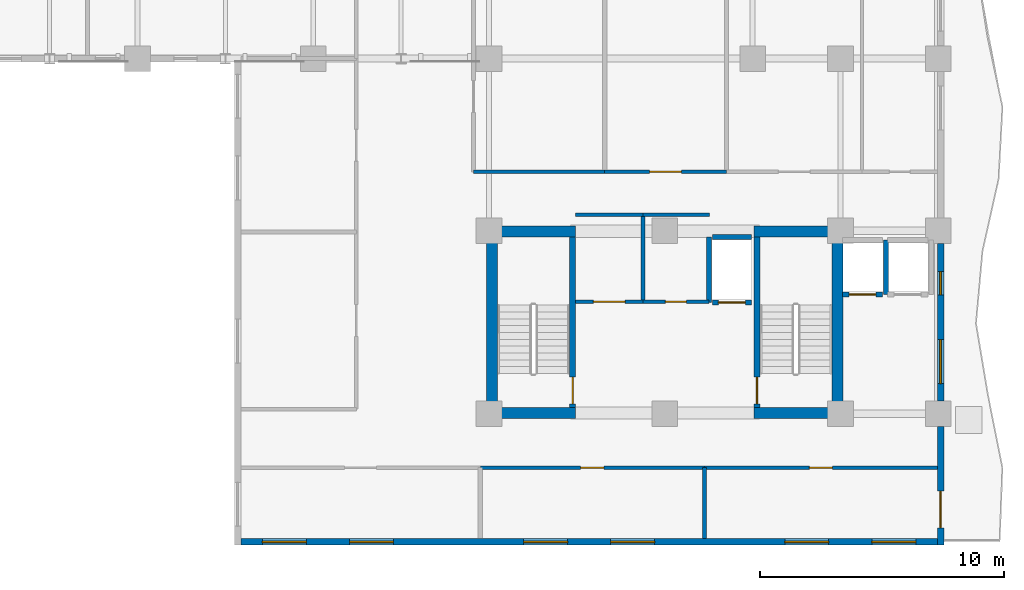
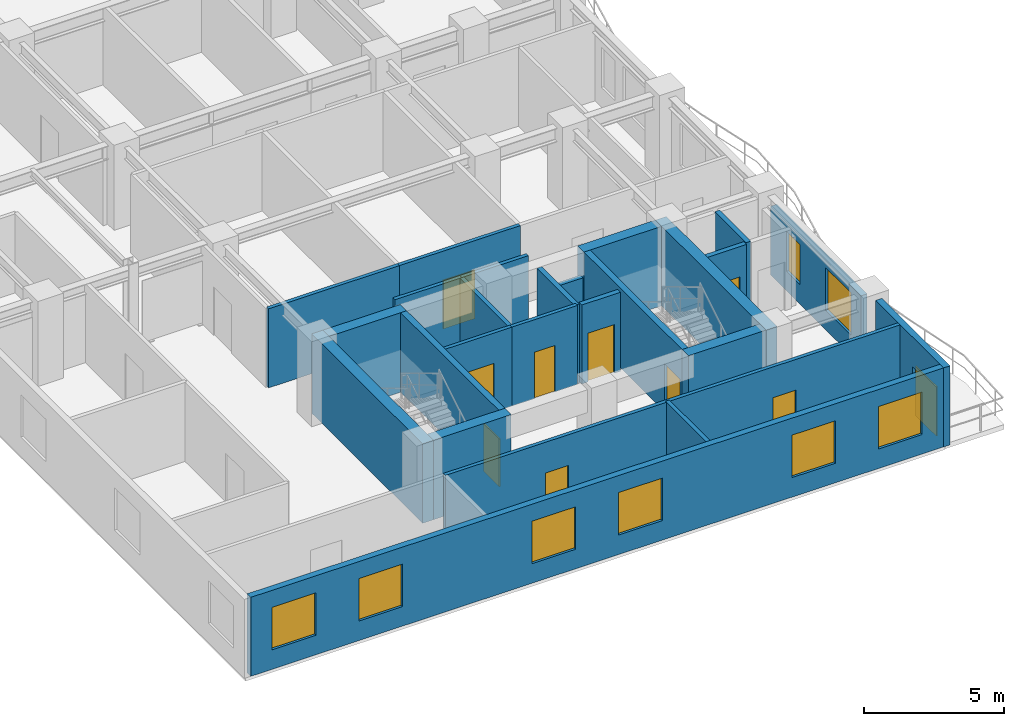
# One storey, part 6 of 13: 26 walls, 10 doors, 8 windows, 18 openings.
"""IFC4 building model written with IfcOpenShell, lengths in metres."""

from ifc_helpers import new_model, si_unit, direction, frame, frame_2d, origin, place, context, subcontext, project, spatial, rectangle, extrude, material, layer, layer_set, type_object, element, fill, save


model = new_model("IFC4")

# Units and contexts
model_context = context("Model", 3, precision=1e-05, world=origin(), true_north=direction((0.0, 1.0)))
body_context = subcontext(model_context, "Body", "Model", "MODEL_VIEW")
ifc_project = project(units=[si_unit("LENGTHUNIT", "METRE"), si_unit("AREAUNIT", "SQUARE_METRE"), si_unit("VOLUMEUNIT", "CUBIC_METRE"), si_unit("PLANEANGLEUNIT", "RADIAN"), si_unit("MASSUNIT", "GRAM", prefix="KILO")], contexts=[model_context])

# Site, building, storey
site_placement = place(None, origin())
site = spatial("IfcSite", under=ifc_project, at=site_placement, CompositionType="ELEMENT")
building_placement = place(site_placement, origin())
building = spatial("IfcBuilding", under=site, at=building_placement, Name="Kaliganga Portal Commons", CompositionType="ELEMENT")
storey_placement = place(building_placement, frame((0.0, 0.0, 158.699951171875)))
storey = spatial("IfcBuildingStorey", under=building, at=storey_placement, Name="L40", CompositionType="ELEMENT", Elevation=158.699951171875)

# Walls
ifc_material_1 = material(Name="Concrete C60/75", Category="concrete")
ifc_layer_1 = layer(ifc_material_1, 0.449951171875)
ifc_layer_set_1 = layer_set([ifc_layer_1], Name="Concrete C60/75")
wall_type_1 = type_object("IfcWallType", Name="WL-CORE-450", PredefinedType="SHEAR", material=ifc_layer_set_1)
for number, where, z_axis, x_axis, name in (
    (1, (36.125, 6.85009765625, 0.0), (0.0, 0.0, 1.0), (0.0, 1.0, 0.0), "Core B West Shear Wall L40"),
    (2, (50.27490234375, 6.85009765625, 0.0), (0.0, 0.0, 1.0), (0.0, 1.0, 0.0), "Core B East Shear Wall L40"),
):
    element("IfcWall", number, at=place(storey_placement, frame(where, z_axis=z_axis, x_axis=x_axis)), inside=storey, type_object=wall_type_1, Name=name, PredefinedType="SHEAR", context=body_context, shape_type="SweptSolid", body=[
        extrude(rectangle(XDim=7.89990234375, YDim=0.449951171875, at=frame_2d((3.949951171875, 0.0))), origin(), (0.0, 0.0, 1.0), 3.4599609375),
    ])
for number, where, z_axis, x_axis, name in (
    (3, (36.35009765625, 7.074951171875, 0.0), (0.0, 0.0, 1.0), (1.0, 0.0, 0.0), "Core B S-West Shear Wall L40"),
    (4, (46.85009765625, 7.074951171875, 0.0), (0.0, 0.0, 1.0), (1.0, 0.0, 0.0), "Core B S-East Shear Wall L40"),
    (5, (36.35009765625, 14.52490234375, 0.0), (0.0, 0.0, 1.0), (1.0, 0.0, 0.0), "Core B N-West Shear Wall L40"),
    (6, (46.85009765625, 14.52490234375, 0.0), (0.0, 0.0, 1.0), (1.0, 0.0, 0.0), "Core B N-East Shear Wall L40"),
):
    element("IfcWall", number, at=place(storey_placement, frame(where, z_axis=z_axis, x_axis=x_axis)), inside=storey, type_object=wall_type_1, Name=name, PredefinedType="SHEAR", context=body_context, shape_type="SweptSolid", body=[
        extrude(rectangle(XDim=3.199951171875, YDim=0.449951171875, at=frame_2d((1.60009765625, 0.0))), origin(), (0.0, 0.0, 1.0), 3.4599609375),
    ])

# Wall, openings, windows
ifc_material_2 = material(Name="Insulated Aluminium-Clad Spandrel Assembly", Category="aluminium")
ifc_layer_2 = layer(ifc_material_2, 0.260009765625)
ifc_layer_set_2 = layer_set([ifc_layer_2], Name="Insulated Aluminium-Clad Spandrel Assembly")
wall_type_2 = type_object("IfcWallType", Name="WL-EXT-SPAND-260", PredefinedType="STANDARD", material=ifc_layer_set_2)
wall_1_placement = place(storey_placement, frame((54.364990234375, 1.800048828125, 0.0), z_axis=(0.0, 0.0, 1.0), x_axis=(-1.0, 0.0, 0.0)))
wall_1 = element("IfcWall", 7, at=wall_1_placement, inside=storey, type_object=wall_type_2, Name="Exterior Envelope Wall L40 P1-E00-S1", PredefinedType="STANDARD", context=body_context, shape_type="SweptSolid", body=[
    extrude(rectangle(XDim=28.530029296875, YDim=0.260009765625, at=frame_2d((14.26513671875, 0.0))), origin(), (0.0, 0.0, 1.0), 3.43994140625),
])
opening_1_placement = place(wall_1_placement, frame((0.883056640625, 0.0, 0.85009765625)))
opening_1 = element("IfcOpeningElement", 8, at=opening_1_placement, cuts=wall_1, Name="Opening W-01", PredefinedType="OPENING", context=body_context, shape_type="SweptSolid", body=[
    extrude(rectangle(XDim=1.800048828125, YDim=1.85009765625, at=frame_2d((0.89990234375, 0.925048828125))), frame((0.0, 0.14013671875, 0.0), z_axis=(0.0, -1.0, 0.0), x_axis=(1.0, 0.0, 0.0)), (0.0, 0.0, 1.0), 0.280029296875),
])
opening_2_placement = place(wall_1_placement, frame((4.449462890625, 0.0, 0.85009765625)))
opening_2 = element("IfcOpeningElement", 9, at=opening_2_placement, cuts=wall_1, Name="Opening W-01", PredefinedType="OPENING", context=body_context, shape_type="SweptSolid", body=[
    extrude(rectangle(XDim=1.800048828125, YDim=1.85009765625, at=frame_2d((0.89990234375, 0.925048828125))), frame((0.0, 0.14013671875, 0.0), z_axis=(0.0, -1.0, 0.0), x_axis=(1.0, 0.0, 0.0)), (0.0, 0.0, 1.0), 0.280029296875),
])
opening_3_placement = place(wall_1_placement, frame((11.581787109375, 0.0, 0.85009765625)))
opening_3 = element("IfcOpeningElement", 10, at=opening_3_placement, cuts=wall_1, Name="Opening W-01", PredefinedType="OPENING", context=body_context, shape_type="SweptSolid", body=[
    extrude(rectangle(XDim=1.800048828125, YDim=1.85009765625, at=frame_2d((0.89990234375, 0.925048828125))), frame((0.0, 0.14013671875, 0.0), z_axis=(0.0, -1.0, 0.0), x_axis=(1.0, 0.0, 0.0)), (0.0, 0.0, 1.0), 0.280029296875),
])
opening_4_placement = place(wall_1_placement, frame((15.148193359375, 0.0, 0.85009765625)))
opening_4 = element("IfcOpeningElement", 11, at=opening_4_placement, cuts=wall_1, Name="Opening W-01", PredefinedType="OPENING", context=body_context, shape_type="SweptSolid", body=[
    extrude(rectangle(XDim=1.800048828125, YDim=1.85009765625, at=frame_2d((0.89990234375, 0.925048828125))), frame((0.0, 0.14013671875, 0.0), z_axis=(0.0, -1.0, 0.0), x_axis=(1.0, 0.0, 0.0)), (0.0, 0.0, 1.0), 0.280029296875),
])
opening_5_placement = place(wall_1_placement, frame((22.280517578125, 0.0, 0.85009765625)))
opening_5 = element("IfcOpeningElement", 12, at=opening_5_placement, cuts=wall_1, Name="Opening W-01", PredefinedType="OPENING", context=body_context, shape_type="SweptSolid", body=[
    extrude(rectangle(XDim=1.800048828125, YDim=1.85009765625, at=frame_2d((0.89990234375, 0.925048828125))), frame((0.0, 0.14013671875, 0.0), z_axis=(0.0, -1.0, 0.0), x_axis=(1.0, 0.0, 0.0)), (0.0, 0.0, 1.0), 0.280029296875),
])
opening_6_placement = place(wall_1_placement, frame((25.846923828125, 0.0, 0.85009765625)))
opening_6 = element("IfcOpeningElement", 13, at=opening_6_placement, cuts=wall_1, Name="Opening W-01", PredefinedType="OPENING", context=body_context, shape_type="SweptSolid", body=[
    extrude(rectangle(XDim=1.800048828125, YDim=1.85009765625, at=frame_2d((0.89990234375, 0.925048828125))), frame((0.0, 0.14013671875, 0.0), z_axis=(0.0, -1.0, 0.0), x_axis=(1.0, 0.0, 0.0)), (0.0, 0.0, 1.0), 0.280029296875),
])
ifc_material_3 = material(Name="Thermally Broken Aluminium and Low-E Double Glazing", Category="aluminium")
window_type_1 = type_object("IfcWindowType", Name="WIN-STD-1800", PartitioningType="DOUBLE_PANEL_VERTICAL", PredefinedType="WINDOW", material=ifc_material_3)
window_1_placement = place(opening_1_placement, origin())
window_1 = element("IfcWindow", 14, at=window_1_placement, inside=storey, type_object=window_type_1, Name="Facade Window L40-P1E00S1-00", OverallHeight=1.85009765625, OverallWidth=1.800048828125, PartitioningType="SINGLE_PANEL", PredefinedType="WINDOW", context=body_context, shape_type="SweptSolid", body=[
    extrude(rectangle(XDim=1.800048828125, YDim=1.85009765625, at=frame_2d((0.89990234375, 0.925048828125))), frame((0.0, 0.030029296875, 0.0), z_axis=(0.0, -1.0, 0.0), x_axis=(1.0, 0.0, 0.0)), (0.0, 0.0, 1.0), 0.06005859375),
])
fill(opening_1, window_1)
window_2_placement = place(opening_2_placement, origin())
window_2 = element("IfcWindow", 15, at=window_2_placement, inside=storey, type_object=window_type_1, Name="Facade Window L40-P1E00S1-01", OverallHeight=1.85009765625, OverallWidth=1.800048828125, PartitioningType="SINGLE_PANEL", PredefinedType="WINDOW", context=body_context, shape_type="SweptSolid", body=[
    extrude(rectangle(XDim=1.800048828125, YDim=1.85009765625, at=frame_2d((0.89990234375, 0.925048828125))), frame((0.0, 0.030029296875, 0.0), z_axis=(0.0, -1.0, 0.0), x_axis=(1.0, 0.0, 0.0)), (0.0, 0.0, 1.0), 0.06005859375),
])
fill(opening_2, window_2)
window_3_placement = place(opening_3_placement, origin())
window_3 = element("IfcWindow", 16, at=window_3_placement, inside=storey, type_object=window_type_1, Name="Facade Window L40-P1E00S1-03", OverallHeight=1.85009765625, OverallWidth=1.800048828125, PartitioningType="SINGLE_PANEL", PredefinedType="WINDOW", context=body_context, shape_type="SweptSolid", body=[
    extrude(rectangle(XDim=1.800048828125, YDim=1.85009765625, at=frame_2d((0.89990234375, 0.925048828125))), frame((0.0, 0.030029296875, 0.0), z_axis=(0.0, -1.0, 0.0), x_axis=(1.0, 0.0, 0.0)), (0.0, 0.0, 1.0), 0.06005859375),
])
fill(opening_3, window_3)
window_4_placement = place(opening_4_placement, origin())
window_4 = element("IfcWindow", 17, at=window_4_placement, inside=storey, type_object=window_type_1, Name="Facade Window L40-P1E00S1-04", OverallHeight=1.85009765625, OverallWidth=1.800048828125, PartitioningType="SINGLE_PANEL", PredefinedType="WINDOW", context=body_context, shape_type="SweptSolid", body=[
    extrude(rectangle(XDim=1.800048828125, YDim=1.85009765625, at=frame_2d((0.89990234375, 0.925048828125))), frame((0.0, 0.030029296875, 0.0), z_axis=(0.0, -1.0, 0.0), x_axis=(1.0, 0.0, 0.0)), (0.0, 0.0, 1.0), 0.06005859375),
])
fill(opening_4, window_4)
window_5_placement = place(opening_5_placement, origin())
window_5 = element("IfcWindow", 18, at=window_5_placement, inside=storey, type_object=window_type_1, Name="Facade Window L40-P1E00S1-06", OverallHeight=1.85009765625, OverallWidth=1.800048828125, PartitioningType="SINGLE_PANEL", PredefinedType="WINDOW", context=body_context, shape_type="SweptSolid", body=[
    extrude(rectangle(XDim=1.800048828125, YDim=1.85009765625, at=frame_2d((0.89990234375, 0.925048828125))), frame((0.0, 0.030029296875, 0.0), z_axis=(0.0, -1.0, 0.0), x_axis=(1.0, 0.0, 0.0)), (0.0, 0.0, 1.0), 0.06005859375),
])
fill(opening_5, window_5)
window_6_placement = place(opening_6_placement, origin())
window_6 = element("IfcWindow", 19, at=window_6_placement, inside=storey, type_object=window_type_1, Name="Facade Window L40-P1E00S1-07", OverallHeight=1.85009765625, OverallWidth=1.800048828125, PartitioningType="SINGLE_PANEL", PredefinedType="WINDOW", context=body_context, shape_type="SweptSolid", body=[
    extrude(rectangle(XDim=1.800048828125, YDim=1.85009765625, at=frame_2d((0.89990234375, 0.925048828125))), frame((0.0, 0.030029296875, 0.0), z_axis=(0.0, -1.0, 0.0), x_axis=(1.0, 0.0, 0.0)), (0.0, 0.0, 1.0), 0.06005859375),
])
fill(opening_6, window_6)

# Wall, opening, door
wall_2_placement = place(storey_placement, frame((54.5, 6.52392578125, 0.0), z_axis=(0.0, 0.0, 1.0), x_axis=(0.0, -1.0, 0.0)))
wall_2 = element("IfcWall", 20, at=wall_2_placement, inside=storey, type_object=wall_type_2, Name="Exterior Envelope Wall L40 P1-E01-S1", PredefinedType="STANDARD", context=body_context, shape_type="SweptSolid", body=[
    extrude(rectangle(XDim=4.85400390625, YDim=0.260009765625, at=frame_2d((2.427001953125, 0.0))), origin(), (0.0, 0.0, 1.0), 3.43994140625),
])
opening_7_placement = place(wall_2_placement, frame((2.64794921875, 0.0, 0.0)))
opening_7 = element("IfcOpeningElement", 21, at=opening_7_placement, cuts=wall_2, Name="Opening BD-01", PredefinedType="OPENING", context=body_context, shape_type="SweptSolid", body=[
    extrude(rectangle(XDim=1.5, YDim=2.14990234375, at=frame_2d((0.75, 1.074951171875))), frame((0.0, 0.14013671875, 0.0), z_axis=(0.0, -1.0, 0.0), x_axis=(1.0, 0.0, 0.0)), (0.0, 0.0, 1.0), 0.280029296875),
])
ifc_material_4 = material(Name="Anodized Aluminium and Laminated Safety Glass", Category="aluminium")
door_type_1 = type_object("IfcDoorType", Name="DR-BALC-1500", OperationType="SLIDING_TO_LEFT", PredefinedType="DOOR", material=ifc_material_4)
door_1_placement = place(opening_7_placement, origin())
door_1 = element("IfcDoor", 22, at=door_1_placement, inside=storey, type_object=door_type_1, Name="Balcony Sliding Door L40 balc_east", OperationType="SLIDING_TO_LEFT", OverallHeight=2.14990234375, OverallWidth=1.5, PredefinedType="DOOR", context=body_context, shape_type="SweptSolid", body=[
    extrude(rectangle(XDim=1.5, YDim=2.14990234375, at=frame_2d((0.75, 1.074951171875))), frame((0.0, 0.02490234375, 0.0), z_axis=(0.0, -1.0, 0.0), x_axis=(1.0, 0.0, 0.0)), (0.0, 0.0, 1.0), 0.050048828125),
])
fill(opening_7, door_1)

# Wall, openings, windows
wall_3_placement = place(storey_placement, frame((54.5, 14.02392578125, 0.0), z_axis=(0.0, 0.0, 1.0), x_axis=(0.0, -1.0, 0.0)))
wall_3 = element("IfcWall", 23, at=wall_3_placement, inside=storey, type_object=wall_type_2, Name="Exterior Envelope Wall L40 P1-E01-S2", PredefinedType="STANDARD", context=body_context, shape_type="SweptSolid", body=[
    extrude(rectangle(XDim=6.447998046875, YDim=0.260009765625, at=frame_2d((3.22412109375, 0.0))), origin(), (0.0, 0.0, 1.0), 2.989990234375),
])
opening_8_placement = place(wall_3_placement, frame((3.93603515625, 0.0, 0.85009765625)))
opening_8 = element("IfcOpeningElement", 24, at=opening_8_placement, cuts=wall_3, Name="Opening W-01", PredefinedType="OPENING", context=body_context, shape_type="SweptSolid", body=[
    extrude(rectangle(XDim=1.800048828125, YDim=1.85009765625, at=frame_2d((0.89990234375, 0.925048828125))), frame((0.0, 0.14013671875, 0.0), z_axis=(0.0, -1.0, 0.0), x_axis=(1.0, 0.0, 0.0)), (0.0, 0.0, 1.0), 0.280029296875),
])
opening_9_placement = place(wall_3_placement, frame((1.14990234375, 0.0, 0.85009765625)))
opening_9 = element("IfcOpeningElement", 25, at=opening_9_placement, cuts=wall_3, Name="Opening W-04", PredefinedType="OPENING", context=body_context, shape_type="SweptSolid", body=[
    extrude(rectangle(XDim=0.949951171875, YDim=1.75, at=frame_2d((0.47509765625, 0.875))), frame((0.0, 0.14013671875, 0.0), z_axis=(0.0, -1.0, 0.0), x_axis=(1.0, 0.0, 0.0)), (0.0, 0.0, 1.0), 0.280029296875),
])
window_type_2 = type_object("IfcWindowType", Name="WIN-NARROW-950", PartitioningType="SINGLE_PANEL", PredefinedType="WINDOW", material=ifc_material_3)
window_7_placement = place(opening_9_placement, origin())
window_7 = element("IfcWindow", 26, at=window_7_placement, inside=storey, type_object=window_type_2, Name="Facade Window L40-P1E01S2-N1", OverallHeight=1.75, OverallWidth=0.949951171875, PartitioningType="SINGLE_PANEL", PredefinedType="WINDOW", context=body_context, shape_type="SweptSolid", body=[
    extrude(rectangle(XDim=0.949951171875, YDim=1.75, at=frame_2d((0.47509765625, 0.875))), frame((0.0, 0.030029296875, 0.0), z_axis=(0.0, -1.0, 0.0), x_axis=(1.0, 0.0, 0.0)), (0.0, 0.0, 1.0), 0.06005859375),
])
fill(opening_9, window_7)
window_8_placement = place(opening_8_placement, origin())
window_8 = element("IfcWindow", 27, at=window_8_placement, inside=storey, type_object=window_type_1, Name="Facade Window L40-P1E01S2-01", OverallHeight=1.85009765625, OverallWidth=1.800048828125, PartitioningType="SINGLE_PANEL", PredefinedType="WINDOW", context=body_context, shape_type="SweptSolid", body=[
    extrude(rectangle(XDim=1.800048828125, YDim=1.85009765625, at=frame_2d((0.89990234375, 0.925048828125))), frame((0.0, 0.030029296875, 0.0), z_axis=(0.0, -1.0, 0.0), x_axis=(1.0, 0.0, 0.0)), (0.0, 0.0, 1.0), 0.06005859375),
])
fill(opening_8, window_8)

# Wall, opening, door
ifc_material_5 = material(Name="Fire-Rated Gypsum Board on Steel Stud", Category="steel")
ifc_layer_3 = layer(ifc_material_5, 0.14990234375)
ifc_layer_set_3 = layer_set([ifc_layer_3], Name="Fire-Rated Gypsum Board on Steel Stud")
wall_type_3 = type_object("IfcWallType", Name="WL-PART-CORR-150", PredefinedType="PARTITIONING", material=ifc_layer_set_3)
wall_4_placement = place(storey_placement, frame((44.820068359375, 4.840087890625, 0.0), z_axis=(0.0, 0.0, 1.0), x_axis=(1.0, 0.0, 0.0)))
wall_4 = element("IfcWall", 28, at=wall_4_placement, inside=storey, type_object=wall_type_3, Name="Interior Partition L40-014", PredefinedType="PARTITIONING", context=body_context, shape_type="SweptSolid", body=[
    extrude(rectangle(XDim=9.5478515625, YDim=0.14990234375, at=frame_2d((4.77392578125, 0.0))), origin(), (0.0, 0.0, 1.0), 3.43994140625),
])
opening_10_placement = place(wall_4_placement, frame((4.299072265625, 0.0, 0.0)))
opening_10 = element("IfcOpeningElement", 29, at=opening_10_placement, cuts=wall_4, Name="Opening UD-01", PredefinedType="OPENING", context=body_context, shape_type="SweptSolid", body=[
    extrude(rectangle(XDim=0.949951171875, YDim=2.10009765625, at=frame_2d((0.47509765625, 1.050048828125))), frame((0.0, 0.0849609375, 0.0), z_axis=(0.0, -1.0, 0.0), x_axis=(1.0, 0.0, 0.0)), (0.0, 0.0, 1.0), 0.169921875),
])
ifc_material_6 = material(Name="Solid-Core Timber Acoustic Fire Door", Category="wood")
door_type_2 = type_object("IfcDoorType", Name="DR-UNIT-950", OperationType="NOTDEFINED", PredefinedType="DOOR", material=ifc_material_6)
door_2_placement = place(opening_10_placement, origin())
door_2 = element("IfcDoor", 30, at=door_2_placement, inside=storey, type_object=door_type_2, Name="Interior Door L40-BS03", OperationType="SINGLE_SWING_LEFT", OverallHeight=2.10009765625, OverallWidth=0.949951171875, PredefinedType="DOOR", context=body_context, shape_type="SweptSolid", body=[
    extrude(rectangle(XDim=0.949951171875, YDim=2.10009765625, at=frame_2d((0.47509765625, 1.050048828125))), frame((0.0, 0.02490234375, 0.0), z_axis=(0.0, -1.0, 0.0), x_axis=(1.0, 0.0, 0.0)), (0.0, 0.0, 1.0), 0.050048828125),
])
fill(opening_10, door_2)

wall_5_placement = place(storey_placement, frame((35.639892578125, 4.840087890625, 0.0), z_axis=(0.0, 0.0, 1.0), x_axis=(1.0, 0.0, 0.0)))
wall_5 = element("IfcWall", 31, at=wall_5_placement, inside=storey, type_object=wall_type_3, Name="Interior Partition L40-016", PredefinedType="PARTITIONING", context=body_context, shape_type="SweptSolid", body=[
    extrude(rectangle(XDim=9.18017578125, YDim=0.14990234375, at=frame_2d((4.590087890625, 0.0))), origin(), (0.0, 0.0, 1.0), 3.43994140625),
])
opening_11_placement = place(wall_5_placement, frame((4.114990234375, 0.0, 0.0)))
opening_11 = element("IfcOpeningElement", 32, at=opening_11_placement, cuts=wall_5, Name="Opening UD-01", PredefinedType="OPENING", context=body_context, shape_type="SweptSolid", body=[
    extrude(rectangle(XDim=0.949951171875, YDim=2.10009765625, at=frame_2d((0.47509765625, 1.050048828125))), frame((0.0, 0.0849609375, 0.0), z_axis=(0.0, -1.0, 0.0), x_axis=(1.0, 0.0, 0.0)), (0.0, 0.0, 1.0), 0.169921875),
])
door_3_placement = place(opening_11_placement, origin())
door_3 = element("IfcDoor", 33, at=door_3_placement, inside=storey, type_object=door_type_2, Name="Interior Door L40-BS02", OperationType="SINGLE_SWING_LEFT", OverallHeight=2.10009765625, OverallWidth=0.949951171875, PredefinedType="DOOR", context=body_context, shape_type="SweptSolid", body=[
    extrude(rectangle(XDim=0.949951171875, YDim=2.10009765625, at=frame_2d((0.47509765625, 1.050048828125))), frame((0.0, 0.02490234375, 0.0), z_axis=(0.0, -1.0, 0.0), x_axis=(1.0, 0.0, 0.0)), (0.0, 0.0, 1.0), 0.050048828125),
])
fill(opening_11, door_3)

# Wall
wall_6_placement = place(storey_placement, frame((35.360107421875, 16.9599609375, 0.0), z_axis=(0.0, 0.0, 1.0), x_axis=(1.0, 0.0, 0.0)))
element("IfcWall", 34, at=wall_6_placement, inside=storey, type_object=wall_type_3, Name="Interior Partition L40-033", PredefinedType="PARTITIONING", context=body_context, shape_type="SweptSolid", body=[
    extrude(rectangle(XDim=5.3798828125, YDim=0.14990234375, at=frame_2d((2.68994140625, 0.0))), origin(), (0.0, 0.0, 1.0), 3.43994140625),
])

# Wall, opening, door
wall_7_placement = place(storey_placement, frame((40.739990234375, 16.9599609375, 0.0), z_axis=(0.0, 0.0, 1.0), x_axis=(1.0, 0.0, 0.0)))
wall_7 = element("IfcWall", 35, at=wall_7_placement, inside=storey, type_object=wall_type_3, Name="Interior Partition L40-036", PredefinedType="PARTITIONING", context=body_context, shape_type="SweptSolid", body=[
    extrude(rectangle(XDim=4.97998046875, YDim=0.14990234375, at=frame_2d((2.489990234375, 0.0))), origin(), (0.0, 0.0, 1.0), 3.43994140625),
])
opening_12_placement = place(wall_7_placement, frame((1.840087890625, 0.0, 0.0)))
opening_12 = element("IfcOpeningElement", 36, at=opening_12_placement, cuts=wall_7, Name="Opening RD-03", PredefinedType="OPENING", context=body_context, shape_type="SweptSolid", body=[
    extrude(rectangle(XDim=1.300048828125, YDim=2.1201171875, at=frame_2d((0.64990234375, 1.06005859375))), frame((0.0, 0.0849609375, 0.0), z_axis=(0.0, -1.0, 0.0), x_axis=(1.0, 0.0, 0.0)), (0.0, 0.0, 1.0), 0.169921875),
])
ifc_material_7 = material(Name="Glazed Timber Seminar Vision Door", Category="wood")
door_type_3 = type_object("IfcDoorType", Name="DR-STUDY-1300", OperationType="DOUBLE_DOOR_SINGLE_SWING", PredefinedType="DOOR", material=ifc_material_7)
door_4_placement = place(opening_12_placement, origin())
door_4 = element("IfcDoor", 37, at=door_4_placement, inside=storey, type_object=door_type_3, Name="Interior Door L40-BM02", OperationType="DOUBLE_DOOR_SINGLE_SWING", OverallHeight=2.1201171875, OverallWidth=1.300048828125, PredefinedType="DOOR", context=body_context, shape_type="SweptSolid", body=[
    extrude(rectangle(XDim=1.300048828125, YDim=2.1201171875, at=frame_2d((0.64990234375, 1.06005859375))), frame((0.0, 0.02490234375, 0.0), z_axis=(0.0, -1.0, 0.0), x_axis=(1.0, 0.0, 0.0)), (0.0, 0.0, 1.0), 0.050048828125),
])
fill(opening_12, door_4)

wall_8_placement = place(storey_placement, frame((39.5400390625, 11.639892578125, 0.0), z_axis=(0.0, 0.0, 1.0), x_axis=(1.0, 0.0, 0.0)))
wall_8 = element("IfcWall", 38, at=wall_8_placement, inside=storey, type_object=wall_type_3, Name="Interior Partition L40-054", PredefinedType="PARTITIONING", context=body_context, shape_type="SweptSolid", body=[
    extrude(rectangle(XDim=2.760009765625, YDim=0.14990234375, at=frame_2d((1.3798828125, 0.0))), origin(), (0.0, 0.0, 1.0), 3.43994140625),
])
opening_13_placement = place(wall_8_placement, frame((0.72998046875, 0.0, 0.0)))
opening_13 = element("IfcOpeningElement", 39, at=opening_13_placement, cuts=wall_8, Name="Opening RD-03", PredefinedType="OPENING", context=body_context, shape_type="SweptSolid", body=[
    extrude(rectangle(XDim=1.300048828125, YDim=2.1201171875, at=frame_2d((0.64990234375, 1.06005859375))), frame((0.0, 0.0849609375, 0.0), z_axis=(0.0, -1.0, 0.0), x_axis=(1.0, 0.0, 0.0)), (0.0, 0.0, 1.0), 0.169921875),
])
door_5_placement = place(opening_13_placement, origin())
door_5 = element("IfcDoor", 40, at=door_5_placement, inside=storey, type_object=door_type_3, Name="Interior Door L40-CREC_B1", OperationType="DOUBLE_DOOR_SINGLE_SWING", OverallHeight=2.1201171875, OverallWidth=1.300048828125, PredefinedType="DOOR", context=body_context, shape_type="SweptSolid", body=[
    extrude(rectangle(XDim=1.300048828125, YDim=2.1201171875, at=frame_2d((0.64990234375, 1.06005859375))), frame((0.0, 0.02490234375, 0.0), z_axis=(0.0, -1.0, 0.0), x_axis=(1.0, 0.0, 0.0)), (0.0, 0.0, 1.0), 0.050048828125),
])
fill(opening_13, door_5)

# Wall
wall_9_placement = place(storey_placement, frame((39.5400390625, 15.199951171875, 0.0), z_axis=(0.0, 0.0, 1.0), x_axis=(1.0, 0.0, 0.0)))
element("IfcWall", 41, at=wall_9_placement, inside=storey, type_object=wall_type_3, Name="Interior Partition L40-055", PredefinedType="PARTITIONING", context=body_context, shape_type="SweptSolid", body=[
    extrude(rectangle(XDim=2.760009765625, YDim=0.14990234375, at=frame_2d((1.3798828125, 0.0))), origin(), (0.0, 0.0, 1.0), 3.43994140625),
])

# Wall, opening, door
wall_10_placement = place(storey_placement, frame((42.300048828125, 11.639892578125, 0.0), z_axis=(0.0, 0.0, 1.0), x_axis=(1.0, 0.0, 0.0)))
wall_10 = element("IfcWall", 42, at=wall_10_placement, inside=storey, type_object=wall_type_3, Name="Interior Partition L40-056", PredefinedType="PARTITIONING", context=body_context, shape_type="SweptSolid", body=[
    extrude(rectangle(XDim=2.7099609375, YDim=0.14990234375, at=frame_2d((1.35498046875, 0.0))), origin(), (0.0, 0.0, 1.0), 3.43994140625),
])
opening_14_placement = place(wall_10_placement, frame((0.925048828125, 0.0, 0.0)))
opening_14 = element("IfcOpeningElement", 43, at=opening_14_placement, cuts=wall_10, Name="Opening WD-02", PredefinedType="OPENING", context=body_context, shape_type="SweptSolid", body=[
    extrude(rectangle(XDim=0.860107421875, YDim=2.02001953125, at=frame_2d((0.43017578125, 1.010009765625))), frame((0.0, 0.0849609375, 0.0), z_axis=(0.0, -1.0, 0.0), x_axis=(1.0, 0.0, 0.0)), (0.0, 0.0, 1.0), 0.169921875),
])
ifc_material_8 = material(Name="Fire-Rated Utility Closet Door", Category="wood")
door_type_4 = type_object("IfcDoorType", Name="DR-STORE-800", OperationType="NOTDEFINED", PredefinedType="DOOR", material=ifc_material_8)
door_6_placement = place(opening_14_placement, origin())
door_6 = element("IfcDoor", 44, at=door_6_placement, inside=storey, type_object=door_type_4, Name="Interior Door L40-CREC_B2", OperationType="SINGLE_SWING_RIGHT", OverallHeight=2.02001953125, OverallWidth=0.860107421875, PredefinedType="DOOR", context=body_context, shape_type="SweptSolid", body=[
    extrude(rectangle(XDim=0.860107421875, YDim=2.02001953125, at=frame_2d((0.43017578125, 1.010009765625))), frame((0.0, 0.02490234375, 0.0), z_axis=(0.0, -1.0, 0.0), x_axis=(1.0, 0.0, 0.0)), (0.0, 0.0, 1.0), 0.050048828125),
])
fill(opening_14, door_6)

# Walls
wall_11_placement = place(storey_placement, frame((42.300048828125, 15.199951171875, 0.0), z_axis=(0.0, 0.0, 1.0), x_axis=(1.0, 0.0, 0.0)))
element("IfcWall", 45, at=wall_11_placement, inside=storey, type_object=wall_type_3, Name="Interior Partition L40-057", PredefinedType="PARTITIONING", context=body_context, shape_type="SweptSolid", body=[
    extrude(rectangle(XDim=2.739990234375, YDim=0.14990234375, at=frame_2d((1.3701171875, 0.0))), origin(), (0.0, 0.0, 1.0), 3.43994140625),
])
ifc_material_9 = material(Name="Twin-Stud Acoustic Gypsum Partition", Category="gypsum")
ifc_layer_4 = layer(ifc_material_9, 0.1650390625)
ifc_layer_set_4 = layer_set([ifc_layer_4], Name="Twin-Stud Acoustic Gypsum Partition")
wall_type_4 = type_object("IfcWallType", Name="WL-PART-UNIT-165", PredefinedType="PARTITIONING", material=ifc_layer_set_4)
wall_12_placement = place(storey_placement, frame((42.300048828125, 11.639892578125, 0.0), z_axis=(0.0, 0.0, 1.0), x_axis=(0.0, 1.0, 0.0)))
element("IfcWall", 46, at=wall_12_placement, inside=storey, type_object=wall_type_4, Name="Interior Partition L40-087", PredefinedType="PARTITIONING", context=body_context, shape_type="SweptSolid", body=[
    extrude(rectangle(XDim=3.56005859375, YDim=0.1650390625, at=frame_2d((1.780029296875, 0.0))), origin(), (0.0, 0.0, 1.0), 3.43994140625),
])
wall_13_placement = place(storey_placement, frame((44.820068359375, 1.931884765625, 0.0), z_axis=(0.0, 0.0, 1.0), x_axis=(0.0, 1.0, 0.0)))
element("IfcWall", 47, at=wall_13_placement, inside=storey, type_object=wall_type_4, Name="Interior Partition L40-093", PredefinedType="PARTITIONING", context=body_context, shape_type="SweptSolid", body=[
    extrude(rectangle(XDim=2.908203125, YDim=0.1650390625, at=frame_2d((1.4541015625, 0.0))), origin(), (0.0, 0.0, 1.0), 3.43994140625),
])

# Wall, opening, door
ifc_material_10 = material(Name="Fire-Rated Shaftwall Masonry Assembly", Category="masonry")
ifc_layer_5 = layer(ifc_material_10, 0.199951171875)
ifc_layer_set_5 = layer_set([ifc_layer_5], Name="Fire-Rated Shaftwall Masonry Assembly")
wall_type_5 = type_object("IfcWallType", Name="WL-SHAFT-200", PredefinedType="PARTITIONING", material=ifc_layer_set_5)
wall_14_placement = place(storey_placement, frame((50.47509765625, 11.93505859375, 0.0), z_axis=(0.0, 0.0, 1.0), x_axis=(1.0, 0.0, 0.0)))
wall_14 = element("IfcWall", 48, at=wall_14_placement, inside=storey, type_object=wall_type_5, Name="Lift PL-B3 Hoistway Shaft Wall L40-S", PredefinedType="PARTITIONING", context=body_context, shape_type="SweptSolid", body=[
    extrude(rectangle(XDim=1.64990234375, YDim=0.199951171875, at=frame_2d((0.824951171875, 0.0))), origin(), (0.0, 0.0, 1.0), 3.43994140625),
])
opening_15_placement = place(wall_14_placement, frame((0.27490234375, 0.0, 0.0)))
opening_15 = element("IfcOpeningElement", 49, at=opening_15_placement, cuts=wall_14, Name="Opening LD-01", PredefinedType="OPENING", context=body_context, shape_type="SweptSolid", body=[
    extrude(rectangle(XDim=1.10009765625, YDim=2.1201171875, at=frame_2d((0.550048828125, 1.06005859375))), frame((0.0, 0.10986328125, 0.0), z_axis=(0.0, -1.0, 0.0), x_axis=(1.0, 0.0, 0.0)), (0.0, 0.0, 1.0), 0.219970703125),
])
ifc_material_11 = material(Name="Brushed Stainless Steel 316 Lift Landing Door", Category="steel")
door_type_5 = type_object("IfcDoorType", Name="DR-LIFT-1100", OperationType="SLIDING_TO_LEFT", PredefinedType="DOOR", material=ifc_material_11)
door_7_placement = place(opening_15_placement, origin())
door_7 = element("IfcDoor", 50, at=door_7_placement, inside=storey, type_object=door_type_5, Name="Lift PL-B3 Sliding Landing Door L40", OperationType="SLIDING_TO_LEFT", OverallHeight=2.1201171875, OverallWidth=1.10009765625, PredefinedType="DOOR", context=body_context, shape_type="SweptSolid", body=[
    extrude(rectangle(XDim=1.10009765625, YDim=2.1201171875, at=frame_2d((0.550048828125, 1.06005859375))), frame((0.0, 0.02490234375, 0.0), z_axis=(0.0, -1.0, 0.0), x_axis=(1.0, 0.0, 0.0)), (0.0, 0.0, 1.0), 0.050048828125),
])
fill(opening_15, door_7)

# Wall
wall_15_placement = place(storey_placement, frame((52.264892578125, 11.93505859375, 0.0), z_axis=(0.0, 0.0, 1.0), x_axis=(0.0, 1.0, 0.0)))
element("IfcWall", 51, at=wall_15_placement, inside=storey, type_object=wall_type_5, Name="Lift PL-B3 Hoistway Shaft Wall L40-E", PredefinedType="PARTITIONING", context=body_context, shape_type="SweptSolid", body=[
    extrude(rectangle(XDim=2.22998046875, YDim=0.199951171875, at=frame_2d((1.114990234375, 0.0))), origin(), (0.0, 0.0, 1.0), 3.43994140625),
])

# Wall, opening, door
wall_16_placement = place(storey_placement, frame((45.14990234375, 11.610107421875, 0.0), z_axis=(0.0, 0.0, 1.0), x_axis=(1.0, 0.0, 0.0)))
wall_16 = element("IfcWall", 52, at=wall_16_placement, inside=storey, type_object=wall_type_5, Name="Lift SL-B1 Hoistway Shaft Wall L40-S", PredefinedType="PARTITIONING", context=body_context, shape_type="SweptSolid", body=[
    extrude(rectangle(XDim=1.60009765625, YDim=0.199951171875, at=frame_2d((0.800048828125, 0.0))), origin(), (0.0, 0.0, 1.0), 3.43994140625),
])
opening_16_placement = place(wall_16_placement, frame((0.25, 0.0, 0.0)))
opening_16 = element("IfcOpeningElement", 53, at=opening_16_placement, cuts=wall_16, Name="Opening LD-01", PredefinedType="OPENING", context=body_context, shape_type="SweptSolid", body=[
    extrude(rectangle(XDim=1.10009765625, YDim=2.1201171875, at=frame_2d((0.550048828125, 1.06005859375))), frame((0.0, 0.10986328125, 0.0), z_axis=(0.0, -1.0, 0.0), x_axis=(1.0, 0.0, 0.0)), (0.0, 0.0, 1.0), 0.219970703125),
])
door_8_placement = place(opening_16_placement, origin())
door_8 = element("IfcDoor", 54, at=door_8_placement, inside=storey, type_object=door_type_5, Name="Lift SL-B1 Sliding Landing Door L40", OperationType="SLIDING_TO_LEFT", OverallHeight=2.1201171875, OverallWidth=1.10009765625, PredefinedType="DOOR", context=body_context, shape_type="SweptSolid", body=[
    extrude(rectangle(XDim=1.10009765625, YDim=2.1201171875, at=frame_2d((0.550048828125, 1.06005859375))), frame((0.0, 0.02490234375, 0.0), z_axis=(0.0, -1.0, 0.0), x_axis=(1.0, 0.0, 0.0)), (0.0, 0.0, 1.0), 0.050048828125),
])
fill(opening_16, door_8)

# Walls
wall_17_placement = place(storey_placement, frame((45.14990234375, 14.2900390625, 0.0), z_axis=(0.0, 0.0, 1.0), x_axis=(1.0, 0.0, 0.0)))
element("IfcWall", 55, at=wall_17_placement, inside=storey, type_object=wall_type_5, Name="Lift SL-B1 Hoistway Shaft Wall L40-N", PredefinedType="PARTITIONING", context=body_context, shape_type="SweptSolid", body=[
    extrude(rectangle(XDim=1.60009765625, YDim=0.199951171875, at=frame_2d((0.800048828125, 0.0))), origin(), (0.0, 0.0, 1.0), 2.43994140625),
])
wall_18_placement = place(storey_placement, frame((45.010009765625, 11.610107421875, 0.0), z_axis=(0.0, 0.0, 1.0), x_axis=(0.0, 1.0, 0.0)))
element("IfcWall", 56, at=wall_18_placement, inside=storey, type_object=wall_type_5, Name="Lift SL-B1 Hoistway Shaft Wall L40-W", PredefinedType="PARTITIONING", context=body_context, shape_type="SweptSolid", body=[
    extrude(rectangle(XDim=2.679931640625, YDim=0.199951171875, at=frame_2d((1.33984375, 0.0))), origin(), (0.0, 0.0, 1.0), 3.43994140625),
])

# Wall, opening, door
ifc_material_12 = material(Name="Concrete C50/60", Category="concrete")
ifc_layer_6 = layer(ifc_material_12, 0.25)
ifc_layer_set_6 = layer_set([ifc_layer_6], Name="Concrete C50/60")
wall_type_6 = type_object("IfcWallType", Name="WL-STAIR-250", PredefinedType="SHEAR", material=ifc_layer_set_6)
wall_19_placement = place(storey_placement, frame((39.425048828125, 7.300048828125, 0.0), z_axis=(0.0, 0.0, 1.0), x_axis=(0.0, 1.0, 0.0)))
wall_19 = element("IfcWall", 57, at=wall_19_placement, inside=storey, type_object=wall_type_6, Name="Stair B1 Enclosure Shear Wall L40", PredefinedType="SHEAR", context=body_context, shape_type="SweptSolid", body=[
    extrude(rectangle(XDim=7.0, YDim=0.25, at=frame_2d((3.5, 0.0))), origin(), (0.0, 0.0, 1.0), 3.4599609375),
])
opening_17_placement = place(wall_19_placement, frame((0.14990234375, 0.0, 0.0)))
opening_17 = element("IfcOpeningElement", 58, at=opening_17_placement, cuts=wall_19, Name="Opening SD-01", PredefinedType="OPENING", context=body_context, shape_type="SweptSolid", body=[
    extrude(rectangle(XDim=1.10009765625, YDim=2.080078125, at=frame_2d((0.550048828125, 1.0400390625))), frame((0.0, 0.135009765625, 0.0), z_axis=(0.0, -1.0, 0.0), x_axis=(1.0, 0.0, 0.0)), (0.0, 0.0, 1.0), 0.27001953125),
])
ifc_material_13 = material(Name="Galvanized Steel Fire Door Leaf and Frame", Category="steel")
door_type_6 = type_object("IfcDoorType", Name="DR-STAIR-1100", OperationType="NOTDEFINED", PredefinedType="DOOR", material=ifc_material_13)
door_9_placement = place(opening_17_placement, origin())
door_9 = element("IfcDoor", 59, at=door_9_placement, inside=storey, type_object=door_type_6, Name="Protected Stair ST-B1 Fire Door L40", OperationType="SINGLE_SWING_RIGHT", OverallHeight=2.080078125, OverallWidth=1.10009765625, PredefinedType="DOOR", context=body_context, shape_type="SweptSolid", body=[
    extrude(rectangle(XDim=1.10009765625, YDim=2.080078125, at=frame_2d((0.550048828125, 1.0400390625))), frame((0.0, 0.02490234375, 0.0), z_axis=(0.0, -1.0, 0.0), x_axis=(1.0, 0.0, 0.0)), (0.0, 0.0, 1.0), 0.050048828125),
])
fill(opening_17, door_9)

wall_20_placement = place(storey_placement, frame((46.97509765625, 7.300048828125, 0.0), z_axis=(0.0, 0.0, 1.0), x_axis=(0.0, 1.0, 0.0)))
wall_20 = element("IfcWall", 60, at=wall_20_placement, inside=storey, type_object=wall_type_6, Name="Stair B2 Enclosure Shear Wall L40", PredefinedType="SHEAR", context=body_context, shape_type="SweptSolid", body=[
    extrude(rectangle(XDim=7.0, YDim=0.25, at=frame_2d((3.5, 0.0))), origin(), (0.0, 0.0, 1.0), 3.4599609375),
])
opening_18_placement = place(wall_20_placement, frame((0.14990234375, 0.0, 0.0)))
opening_18 = element("IfcOpeningElement", 61, at=opening_18_placement, cuts=wall_20, Name="Opening SD-01", PredefinedType="OPENING", context=body_context, shape_type="SweptSolid", body=[
    extrude(rectangle(XDim=1.10009765625, YDim=2.080078125, at=frame_2d((0.550048828125, 1.0400390625))), frame((0.0, 0.135009765625, 0.0), z_axis=(0.0, -1.0, 0.0), x_axis=(1.0, 0.0, 0.0)), (0.0, 0.0, 1.0), 0.27001953125),
])
door_10_placement = place(opening_18_placement, origin())
door_10 = element("IfcDoor", 62, at=door_10_placement, inside=storey, type_object=door_type_6, Name="Protected Stair ST-B2 Fire Door L40", OperationType="SINGLE_SWING_LEFT", OverallHeight=2.080078125, OverallWidth=1.10009765625, PredefinedType="DOOR", context=body_context, shape_type="SweptSolid", body=[
    extrude(rectangle(XDim=1.10009765625, YDim=2.080078125, at=frame_2d((0.550048828125, 1.0400390625))), frame((0.0, 0.02490234375, 0.0), z_axis=(0.0, -1.0, 0.0), x_axis=(1.0, 0.0, 0.0)), (0.0, 0.0, 1.0), 0.050048828125),
])
fill(opening_18, door_10)

save(model, "model.ifc")
